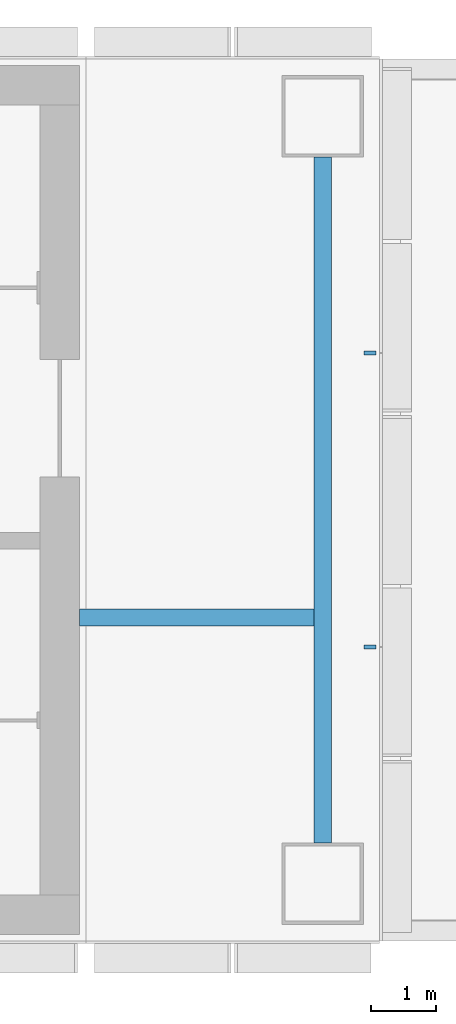
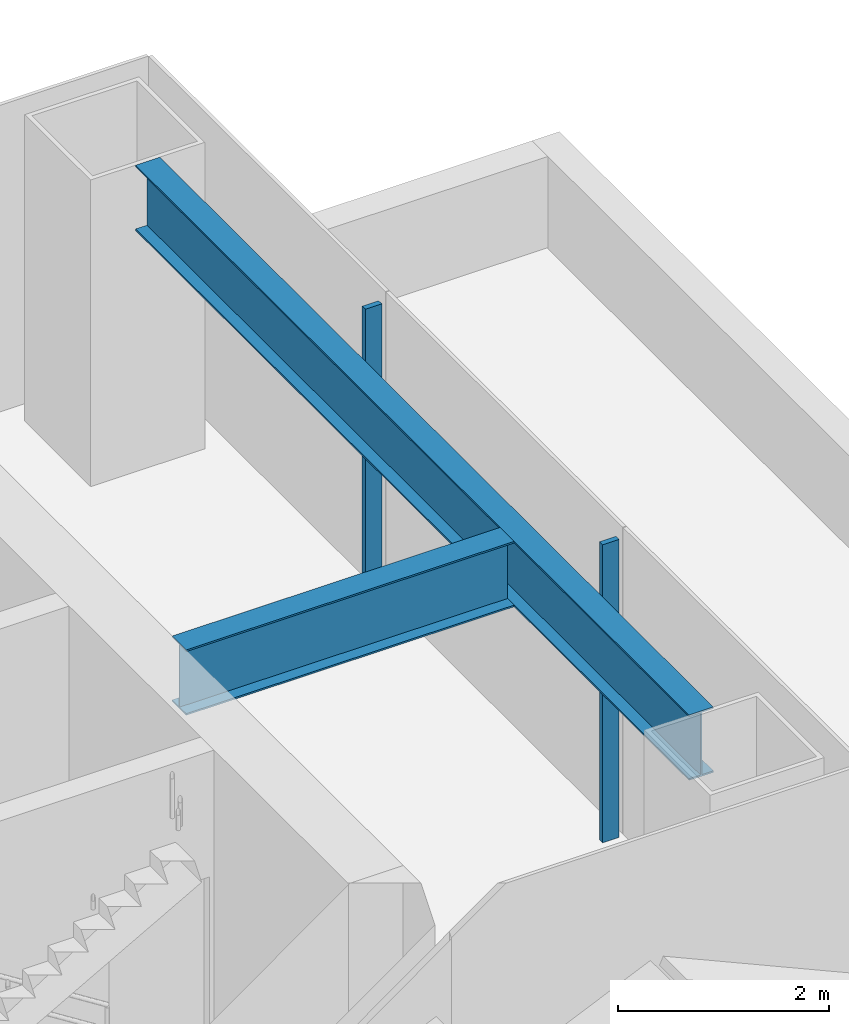
# One storey, part 6 of 20: 2 beams, 2 members, 1 element without a shape of its own.
"""IFC4 building model written with IfcOpenShell, lengths in metres."""

from ifc_helpers import new_model, si_unit, direction, frame, origin, origin_2d, place, context, subcontext, project, spatial, rectangle, i_section, extrude, material, layer, layer_set, material_profile, profile_set, type_object, element, aggregate, save


model = new_model("IFC4")

# Units and contexts
model_context = context("Model", 3, precision=1e-05, world=origin(), true_north=direction((0.0, 1.0)))
body_context = subcontext(model_context, "Body", "Model", "MODEL_VIEW")
ifc_project = project(units=[si_unit("LENGTHUNIT", "METRE"), si_unit("AREAUNIT", "SQUARE_METRE"), si_unit("VOLUMEUNIT", "CUBIC_METRE"), si_unit("PLANEANGLEUNIT", "RADIAN"), si_unit("MASSUNIT", "GRAM", prefix="KILO")], contexts=[model_context])

# Site, building, storey
site_placement = place(None, origin())
site = spatial("IfcSite", under=ifc_project, at=site_placement, CompositionType="ELEMENT")
building_placement = place(site_placement, origin())
building = spatial("IfcBuilding", under=site, at=building_placement, Name="Shamsa Quay Exchange Towers", CompositionType="ELEMENT")
storey_placement = place(building_placement, frame((0.0, 0.0, 81.89990234375)))
storey = spatial("IfcBuildingStorey", under=building, at=storey_placement, Name="L18", CompositionType="ELEMENT", Elevation=81.89990234375)

# Curtain wall, members
ifc_material_1 = material(Name="Aluminium EN AW-6063 T6, black anodised", Category="aluminium")
ifc_layer = layer(ifc_material_1, 0.280029296875)
ifc_layer_set = layer_set([ifc_layer], Name="CW-1 UNITISED VISION GLASS")
curtain_wall_type = type_object("IfcCurtainWallType", Name="CW-1 UNITISED VISION GLASS", PredefinedType="NOTDEFINED", material=ifc_layer_set)
curtain_wall_placement = place(storey_placement, origin())
curtain_wall = element("IfcCurtainWall", 1, at=curtain_wall_placement, inside=storey, type_object=curtain_wall_type, Name="CW1 T2-END-V- L18", PredefinedType="NOTDEFINED")
ifc_material_profile_1 = material_profile(ifc_material_1, rectangle(XDim=0.179931640625, YDim=0.06005859375, at=origin_2d()), Name="MU60x180")
ifc_profile_set_1 = profile_set([ifc_material_profile_1], Name="Aluminium EN AW-6063 T6, black anodised")
member_type = type_object("IfcMemberType", Name="CW1 MULLION 60x180", PredefinedType="MULLION", material=ifc_profile_set_1)
member_1_placement = place(storey_placement, frame((58.35009765625, -2.25, 0.0), z_axis=(0.0, 0.0, 1.0), x_axis=(-1.0, 0.0, 0.0)))
member_1 = element("IfcMember", 2, at=member_1_placement, type_object=member_type, Name="CW1 mullion", PredefinedType="MULLION", context=body_context, shape_type="SweptSolid", body=[
    extrude(rectangle(XDim=0.179931640625, YDim=0.06005859375, at=origin_2d()), origin(), (0.0, 0.0, 1.0), 3.4501953125),
])
member_2_placement = place(storey_placement, frame((58.35009765625, 2.25, 0.0), z_axis=(0.0, 0.0, 1.0), x_axis=(-1.0, 0.0, 0.0)))
member_2 = element("IfcMember", 3, at=member_2_placement, type_object=member_type, Name="CW1 mullion", PredefinedType="MULLION", context=body_context, shape_type="SweptSolid", body=[
    extrude(rectangle(XDim=0.179931640625, YDim=0.06005859375, at=origin_2d()), origin(), (0.0, 0.0, 1.0), 3.4501953125),
])
aggregate(curtain_wall, [member_1, member_2])

# Beams
ifc_material_2 = material(Name="Steel S355", Category="steel")
ifc_material_profile_2 = material_profile(ifc_material_2, i_section(OverallWidth=0.26611328125, OverallDepth=0.7578125, WebThickness=0.013916015625, FlangeThickness=0.019287109375, at=origin_2d()), Name="W30x108")
ifc_profile_set_2 = profile_set([ifc_material_profile_2], Name="Steel S355")
beam_type = type_object("IfcBeamType", Name="End-zone beam W30x108", PredefinedType="BEAM", material=ifc_profile_set_2)
beam_1_placement = place(storey_placement, frame((57.625, -5.25, 3.171142578125), z_axis=(0.0, 1.0, 0.0), x_axis=(-1.0, 0.0, 0.0)))
element("IfcBeam", 4, at=beam_1_placement, inside=storey, type_object=beam_type, Name="End beam T2 V- end zone L18", PredefinedType="BEAM", context=body_context, shape_type="SweptSolid", body=[
    extrude(i_section(OverallWidth=0.26611328125, OverallDepth=0.7578125, WebThickness=0.013916015625, FlangeThickness=0.019287109375, at=origin_2d()), origin(), (0.0, 0.0, 1.0), 10.5),
])
beam_2_placement = place(storey_placement, frame((53.89990234375, -1.800048828125, 3.171142578125), z_axis=(1.0, 0.0, 0.0), x_axis=(0.0, 1.0, 0.0)))
element("IfcBeam", 5, at=beam_2_placement, inside=storey, type_object=beam_type, Name="Spine beam T2 V- end zone L18", PredefinedType="BEAM", context=body_context, shape_type="SweptSolid", body=[
    extrude(i_section(OverallWidth=0.26611328125, OverallDepth=0.7578125, WebThickness=0.013916015625, FlangeThickness=0.019287109375, at=origin_2d()), origin(), (0.0, 0.0, 1.0), 3.592041015625),
])

save(model, "model.ifc")
